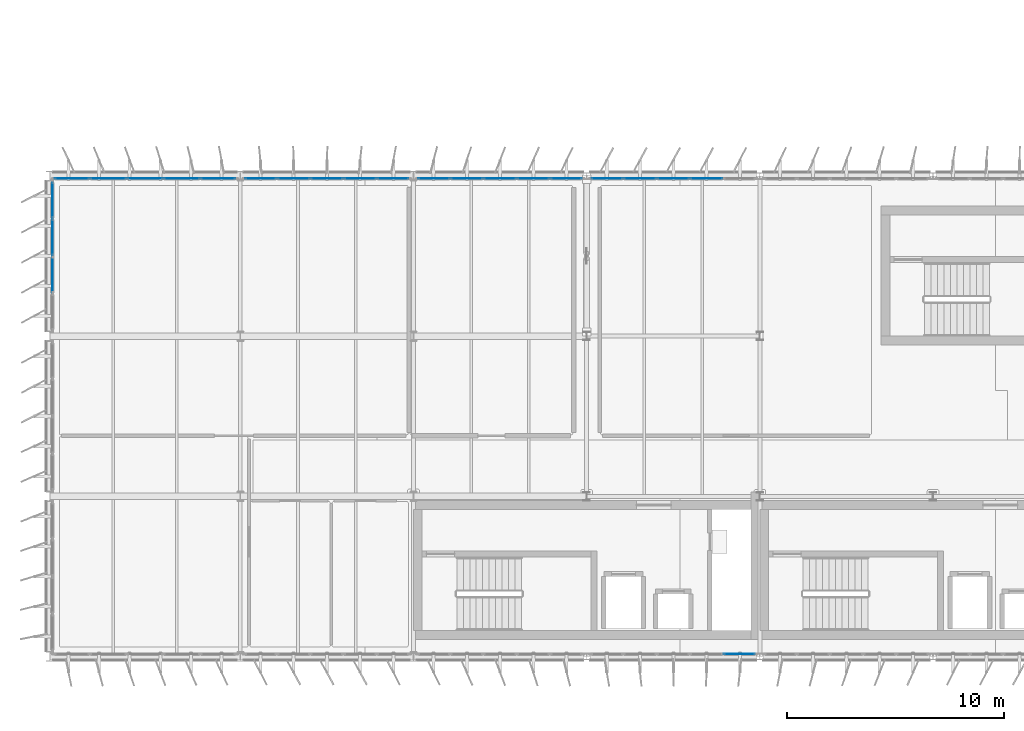
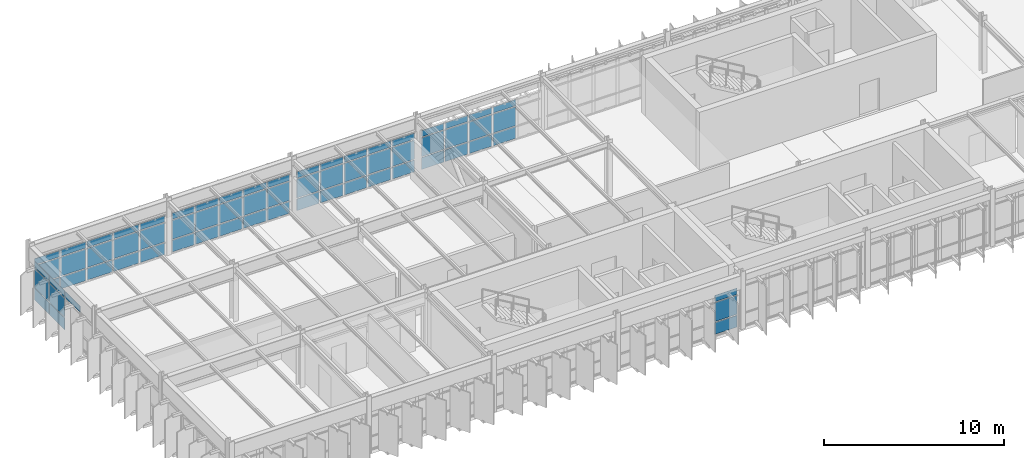
# One storey, part 20 of 35: 67 plates, 6 elements without a shape of their own.
"""IFC4 building model written with IfcOpenShell, lengths in metres."""

from ifc_helpers import new_model, si_unit, direction, frame, origin, origin_2d, place, context, subcontext, project, spatial, rectangle, extrude, material, layer, layer_set, type_object, element, aggregate, save


model = new_model("IFC4")

# Units and contexts
model_context = context("Model", 3, precision=1e-05, world=origin(), true_north=direction((0.0, 1.0)))
body_context = subcontext(model_context, "Body", "Model", "MODEL_VIEW")
ifc_project = project(units=[si_unit("LENGTHUNIT", "METRE"), si_unit("AREAUNIT", "SQUARE_METRE"), si_unit("VOLUMEUNIT", "CUBIC_METRE"), si_unit("PLANEANGLEUNIT", "RADIAN"), si_unit("MASSUNIT", "GRAM", prefix="KILO")], contexts=[model_context])

# Site, building, storey
site_placement = place(None, origin())
site = spatial("IfcSite", under=ifc_project, at=site_placement, CompositionType="ELEMENT")
building_placement = place(site_placement, origin())
building = spatial("IfcBuilding", under=site, at=building_placement, Name="Valkorina Park Police Headquarters", CompositionType="ELEMENT")
storey_placement = place(building_placement, frame((0.0, 0.0, 27.199951171875)))
storey = spatial("IfcBuildingStorey", under=building, at=storey_placement, Name="L07", CompositionType="ELEMENT", Elevation=27.199951171875)

# Curtain wall, plate
ifc_material_1 = material(Name="Thermally broken aluminium AW-6060", Category="aluminium")
ifc_layer_1 = layer(ifc_material_1, 0.18994140625)
ifc_layer_set_1 = layer_set([ifc_layer_1], Name="Thermally broken aluminium AW-6060")
curtain_wall_type_1 = type_object("IfcCurtainWallType", Name="CW-V5-7680x2770", PredefinedType="NOTDEFINED", material=ifc_layer_set_1)
curtain_wall_1_placement = place(storey_placement, origin())
curtain_wall_1 = element("IfcCurtainWall", 1, at=curtain_wall_1_placement, inside=storey, type_object=curtain_wall_type_1, Name="L07 Unitised Curtain Wall 138", PredefinedType="NOTDEFINED")
ifc_layer_2 = layer(ifc_material_1, 0.050048828125)
ifc_layer_set_2 = layer_set([ifc_layer_2], Name="Thermally broken aluminium AW-6060")
plate_type_1 = type_object("IfcPlateType", Name="PL-CWP-SPANDREL-50", PredefinedType="CURTAIN_PANEL", material=ifc_layer_set_2)
plate_1_placement = place(storey_placement, frame((31.8544921875, 37.1201171875, 0.070068359375), z_axis=(0.0, 0.0, 1.0), x_axis=(-1.0, 0.0, 0.0)))
plate_1 = element("IfcPlate", 2, at=plate_1_placement, type_object=plate_type_1, Name="CW-V5-768-277 panel 1.1", PredefinedType="CURTAIN_PANEL", context=body_context, shape_type="SweptSolid", body=[
    extrude(rectangle(XDim=1.430908203125, YDim=0.028076171875, at=origin_2d()), origin(), (0.0, 0.0, 1.0), 0.794921875),
])

# Curtain wall, plates
ifc_layer_3 = layer(ifc_material_1, 0.18994140625)
ifc_layer_set_3 = layer_set([ifc_layer_3], Name="Thermally broken aluminium AW-6060")
curtain_wall_type_2 = type_object("IfcCurtainWallType", Name="CW-V5-6930x2770", PredefinedType="NOTDEFINED", material=ifc_layer_set_3)
curtain_wall_2_placement = place(storey_placement, origin())
curtain_wall_2 = element("IfcCurtainWall", 3, at=curtain_wall_2_placement, inside=storey, type_object=curtain_wall_type_2, Name="L07 Unitised Curtain Wall 144", PredefinedType="NOTDEFINED")
plate_2_placement = place(storey_placement, frame((0.1201171875, 56.3662109375, 0.070068359375), z_axis=(0.0, 0.0, 1.0), x_axis=(0.0, 1.0, 0.0)))
plate_2 = element("IfcPlate", 4, at=plate_2_placement, type_object=plate_type_1, Name="CW-V5-693-277 panel 3.1", PredefinedType="CURTAIN_PANEL", context=body_context, shape_type="SweptSolid", body=[
    extrude(rectangle(XDim=1.66259765625, YDim=0.028076171875, at=origin_2d()), origin(), (0.0, 0.0, 1.0), 0.794921875),
])
plate_3_placement = place(storey_placement, frame((0.1201171875, 58.081298828125, 0.070068359375), z_axis=(0.0, 0.0, 1.0), x_axis=(0.0, 1.0, 0.0)))
plate_3 = element("IfcPlate", 5, at=plate_3_placement, type_object=plate_type_1, Name="CW-V5-693-277 panel 4.1", PredefinedType="CURTAIN_PANEL", context=body_context, shape_type="SweptSolid", body=[
    extrude(rectangle(XDim=1.62744140625, YDim=0.028076171875, at=origin_2d()), origin(), (0.0, 0.0, 1.0), 0.794921875),
])

ifc_layer_4 = layer(ifc_material_1, 0.18994140625)
ifc_layer_set_4 = layer_set([ifc_layer_4], Name="Thermally broken aluminium AW-6060")
curtain_wall_type_3 = type_object("IfcCurtainWallType", Name="CW-V5-8480x2770", PredefinedType="NOTDEFINED", material=ifc_layer_set_4)
curtain_wall_3_placement = place(storey_placement, origin())
curtain_wall_3 = element("IfcCurtainWall", 6, at=curtain_wall_3_placement, inside=storey, type_object=curtain_wall_type_3, Name="L07 Unitised Curtain Wall 145", PredefinedType="NOTDEFINED")
plate_4_placement = place(storey_placement, frame((1.025390625, 59.080078125, 0.070068359375), z_axis=(0.0, 0.0, 1.0), x_axis=(1.0, 0.0, 0.0)))
plate_4 = element("IfcPlate", 7, at=plate_4_placement, type_object=plate_type_1, Name="CW-V5-848-277 panel 1.1", PredefinedType="CURTAIN_PANEL", context=body_context, shape_type="SweptSolid", body=[
    extrude(rectangle(XDim=1.591064453125, YDim=0.028076171875, at=origin_2d()), origin(), (0.0, 0.0, 1.0), 0.794921875),
])
plate_5_placement = place(storey_placement, frame((2.7041015625, 59.080078125, 0.070068359375), z_axis=(0.0, 0.0, 1.0), x_axis=(1.0, 0.0, 0.0)))
plate_5 = element("IfcPlate", 8, at=plate_5_placement, type_object=plate_type_1, Name="CW-V5-848-277 panel 2.1", PredefinedType="CURTAIN_PANEL", context=body_context, shape_type="SweptSolid", body=[
    extrude(rectangle(XDim=1.6259765625, YDim=0.028076171875, at=origin_2d()), origin(), (0.0, 0.0, 1.0), 0.794921875),
])
plate_6_placement = place(storey_placement, frame((4.39990234375, 59.080078125, 0.070068359375), z_axis=(0.0, 0.0, 1.0), x_axis=(1.0, 0.0, 0.0)))
plate_6 = element("IfcPlate", 9, at=plate_6_placement, type_object=plate_type_1, Name="CW-V5-848-277 panel 3.1", PredefinedType="CURTAIN_PANEL", context=body_context, shape_type="SweptSolid", body=[
    extrude(rectangle(XDim=1.6259765625, YDim=0.028076171875, at=origin_2d()), origin(), (0.0, 0.0, 1.0), 0.794921875),
])
plate_7_placement = place(storey_placement, frame((6.095947265625, 59.080078125, 0.070068359375), z_axis=(0.0, 0.0, 1.0), x_axis=(1.0, 0.0, 0.0)))
plate_7 = element("IfcPlate", 10, at=plate_7_placement, type_object=plate_type_1, Name="CW-V5-848-277 panel 4.1", PredefinedType="CURTAIN_PANEL", context=body_context, shape_type="SweptSolid", body=[
    extrude(rectangle(XDim=1.6259765625, YDim=0.028076171875, at=origin_2d()), origin(), (0.0, 0.0, 1.0), 0.794921875),
])
plate_8_placement = place(storey_placement, frame((7.7744140625, 59.080078125, 0.070068359375), z_axis=(0.0, 0.0, 1.0), x_axis=(1.0, 0.0, 0.0)))
plate_8 = element("IfcPlate", 11, at=plate_8_placement, type_object=plate_type_1, Name="CW-V5-848-277 panel 5.1", PredefinedType="CURTAIN_PANEL", context=body_context, shape_type="SweptSolid", body=[
    extrude(rectangle(XDim=1.591064453125, YDim=0.028076171875, at=origin_2d()), origin(), (0.0, 0.0, 1.0), 0.794921875),
])

curtain_wall_4_placement = place(storey_placement, origin())
curtain_wall_4 = element("IfcCurtainWall", 12, at=curtain_wall_4_placement, inside=storey, type_object=curtain_wall_type_1, Name="L07 Unitised Curtain Wall 146", PredefinedType="NOTDEFINED")
plate_9_placement = place(storey_placement, frame((9.74560546875, 59.080078125, 0.070068359375), z_axis=(0.0, 0.0, 1.0), x_axis=(1.0, 0.0, 0.0)))
plate_9 = element("IfcPlate", 13, at=plate_9_placement, type_object=plate_type_1, Name="CW-V5-768-277 panel 1.1", PredefinedType="CURTAIN_PANEL", context=body_context, shape_type="SweptSolid", body=[
    extrude(rectangle(XDim=1.430908203125, YDim=0.028076171875, at=origin_2d()), origin(), (0.0, 0.0, 1.0), 0.794921875),
])
plate_10_placement = place(storey_placement, frame((11.263916015625, 59.080078125, 0.070068359375), z_axis=(0.0, 0.0, 1.0), x_axis=(1.0, 0.0, 0.0)))
plate_10 = element("IfcPlate", 14, at=plate_10_placement, type_object=plate_type_1, Name="CW-V5-768-277 panel 2.1", PredefinedType="CURTAIN_PANEL", context=body_context, shape_type="SweptSolid", body=[
    extrude(rectangle(XDim=1.466064453125, YDim=0.028076171875, at=origin_2d()), origin(), (0.0, 0.0, 1.0), 0.794921875),
])
plate_11_placement = place(storey_placement, frame((12.800048828125, 59.080078125, 0.070068359375), z_axis=(0.0, 0.0, 1.0), x_axis=(1.0, 0.0, 0.0)))
plate_11 = element("IfcPlate", 15, at=plate_11_placement, type_object=plate_type_1, Name="CW-V5-768-277 panel 3.1", PredefinedType="CURTAIN_PANEL", context=body_context, shape_type="SweptSolid", body=[
    extrude(rectangle(XDim=1.466064453125, YDim=0.028076171875, at=origin_2d()), origin(), (0.0, 0.0, 1.0), 0.794921875),
])
plate_12_placement = place(storey_placement, frame((14.3359375, 59.080078125, 0.070068359375), z_axis=(0.0, 0.0, 1.0), x_axis=(1.0, 0.0, 0.0)))
plate_12 = element("IfcPlate", 16, at=plate_12_placement, type_object=plate_type_1, Name="CW-V5-768-277 panel 4.1", PredefinedType="CURTAIN_PANEL", context=body_context, shape_type="SweptSolid", body=[
    extrude(rectangle(XDim=1.466064453125, YDim=0.028076171875, at=origin_2d()), origin(), (0.0, 0.0, 1.0), 0.794921875),
])
plate_13_placement = place(storey_placement, frame((15.8544921875, 59.080078125, 0.070068359375), z_axis=(0.0, 0.0, 1.0), x_axis=(1.0, 0.0, 0.0)))
plate_13 = element("IfcPlate", 17, at=plate_13_placement, type_object=plate_type_1, Name="CW-V5-768-277 panel 5.1", PredefinedType="CURTAIN_PANEL", context=body_context, shape_type="SweptSolid", body=[
    extrude(rectangle(XDim=1.430908203125, YDim=0.028076171875, at=origin_2d()), origin(), (0.0, 0.0, 1.0), 0.794921875),
])

curtain_wall_5_placement = place(storey_placement, origin())
curtain_wall_5 = element("IfcCurtainWall", 18, at=curtain_wall_5_placement, inside=storey, type_object=curtain_wall_type_1, Name="L07 Unitised Curtain Wall 147", PredefinedType="NOTDEFINED")
plate_14_placement = place(storey_placement, frame((17.74560546875, 59.080078125, 0.070068359375), z_axis=(0.0, 0.0, 1.0), x_axis=(1.0, 0.0, 0.0)))
plate_14 = element("IfcPlate", 19, at=plate_14_placement, type_object=plate_type_1, Name="CW-V5-768-277 panel 1.1", PredefinedType="CURTAIN_PANEL", context=body_context, shape_type="SweptSolid", body=[
    extrude(rectangle(XDim=1.430908203125, YDim=0.028076171875, at=origin_2d()), origin(), (0.0, 0.0, 1.0), 0.794921875),
])
plate_15_placement = place(storey_placement, frame((19.263916015625, 59.080078125, 0.070068359375), z_axis=(0.0, 0.0, 1.0), x_axis=(1.0, 0.0, 0.0)))
plate_15 = element("IfcPlate", 20, at=plate_15_placement, type_object=plate_type_1, Name="CW-V5-768-277 panel 2.1", PredefinedType="CURTAIN_PANEL", context=body_context, shape_type="SweptSolid", body=[
    extrude(rectangle(XDim=1.466064453125, YDim=0.028076171875, at=origin_2d()), origin(), (0.0, 0.0, 1.0), 0.794921875),
])
plate_16_placement = place(storey_placement, frame((20.800048828125, 59.080078125, 0.070068359375), z_axis=(0.0, 0.0, 1.0), x_axis=(1.0, 0.0, 0.0)))
plate_16 = element("IfcPlate", 21, at=plate_16_placement, type_object=plate_type_1, Name="CW-V5-768-277 panel 3.1", PredefinedType="CURTAIN_PANEL", context=body_context, shape_type="SweptSolid", body=[
    extrude(rectangle(XDim=1.466064453125, YDim=0.028076171875, at=origin_2d()), origin(), (0.0, 0.0, 1.0), 0.794921875),
])
plate_17_placement = place(storey_placement, frame((22.3359375, 59.080078125, 0.070068359375), z_axis=(0.0, 0.0, 1.0), x_axis=(1.0, 0.0, 0.0)))
plate_17 = element("IfcPlate", 22, at=plate_17_placement, type_object=plate_type_1, Name="CW-V5-768-277 panel 4.1", PredefinedType="CURTAIN_PANEL", context=body_context, shape_type="SweptSolid", body=[
    extrude(rectangle(XDim=1.466064453125, YDim=0.028076171875, at=origin_2d()), origin(), (0.0, 0.0, 1.0), 0.794921875),
])
plate_18_placement = place(storey_placement, frame((23.8544921875, 59.080078125, 0.070068359375), z_axis=(0.0, 0.0, 1.0), x_axis=(1.0, 0.0, 0.0)))
plate_18 = element("IfcPlate", 23, at=plate_18_placement, type_object=plate_type_1, Name="CW-V5-768-277 panel 5.1", PredefinedType="CURTAIN_PANEL", context=body_context, shape_type="SweptSolid", body=[
    extrude(rectangle(XDim=1.430908203125, YDim=0.028076171875, at=origin_2d()), origin(), (0.0, 0.0, 1.0), 0.794921875),
])

curtain_wall_6_placement = place(storey_placement, origin())
curtain_wall_6 = element("IfcCurtainWall", 24, at=curtain_wall_6_placement, inside=storey, type_object=curtain_wall_type_1, Name="L07 Unitised Curtain Wall 148", PredefinedType="NOTDEFINED")
plate_19_placement = place(storey_placement, frame((25.74560546875, 59.080078125, 0.070068359375), z_axis=(0.0, 0.0, 1.0), x_axis=(1.0, 0.0, 0.0)))
plate_19 = element("IfcPlate", 25, at=plate_19_placement, type_object=plate_type_1, Name="CW-V5-768-277 panel 1.1", PredefinedType="CURTAIN_PANEL", context=body_context, shape_type="SweptSolid", body=[
    extrude(rectangle(XDim=1.430908203125, YDim=0.028076171875, at=origin_2d()), origin(), (0.0, 0.0, 1.0), 0.794921875),
])
plate_20_placement = place(storey_placement, frame((27.263916015625, 59.080078125, 0.070068359375), z_axis=(0.0, 0.0, 1.0), x_axis=(1.0, 0.0, 0.0)))
plate_20 = element("IfcPlate", 26, at=plate_20_placement, type_object=plate_type_1, Name="CW-V5-768-277 panel 2.1", PredefinedType="CURTAIN_PANEL", context=body_context, shape_type="SweptSolid", body=[
    extrude(rectangle(XDim=1.466064453125, YDim=0.028076171875, at=origin_2d()), origin(), (0.0, 0.0, 1.0), 0.794921875),
])
plate_21_placement = place(storey_placement, frame((28.800048828125, 59.080078125, 0.070068359375), z_axis=(0.0, 0.0, 1.0), x_axis=(1.0, 0.0, 0.0)))
plate_21 = element("IfcPlate", 27, at=plate_21_placement, type_object=plate_type_1, Name="CW-V5-768-277 panel 3.1", PredefinedType="CURTAIN_PANEL", context=body_context, shape_type="SweptSolid", body=[
    extrude(rectangle(XDim=1.466064453125, YDim=0.028076171875, at=origin_2d()), origin(), (0.0, 0.0, 1.0), 0.794921875),
])
plate_22_placement = place(storey_placement, frame((30.3359375, 59.080078125, 0.070068359375), z_axis=(0.0, 0.0, 1.0), x_axis=(1.0, 0.0, 0.0)))
plate_22 = element("IfcPlate", 28, at=plate_22_placement, type_object=plate_type_1, Name="CW-V5-768-277 panel 4.1", PredefinedType="CURTAIN_PANEL", context=body_context, shape_type="SweptSolid", body=[
    extrude(rectangle(XDim=1.466064453125, YDim=0.028076171875, at=origin_2d()), origin(), (0.0, 0.0, 1.0), 0.794921875),
])

# Plate
ifc_material_2 = material(Name="Triple low-E insulated glazing", Category="glass")
ifc_layer_5 = layer(ifc_material_2, 0.028076171875)
ifc_layer_set_5 = layer_set([ifc_layer_5], Name="Triple low-E insulated glazing")
plate_type_2 = type_object("IfcPlateType", Name="PL-CWP-VISION-28", PredefinedType="CURTAIN_PANEL", material=ifc_layer_set_5)
plate_23_placement = place(storey_placement, frame((31.8544921875, 37.1201171875, 0.93505859375), z_axis=(0.0, 0.0, 1.0), x_axis=(-1.0, 0.0, 0.0)))
plate_23 = element("IfcPlate", 29, at=plate_23_placement, type_object=plate_type_2, Name="CW-V5-768-277 panel 1.2", PredefinedType="CURTAIN_PANEL", context=body_context, shape_type="SweptSolid", body=[
    extrude(rectangle(XDim=1.430908203125, YDim=0.028076171875, at=origin_2d()), origin(), (0.0, 0.0, 1.0), 1.280029296875),
])

plate_24_placement = place(storey_placement, frame((31.8544921875, 37.1201171875, 2.284912109375), z_axis=(0.0, 0.0, 1.0), x_axis=(-1.0, 0.0, 0.0)))
plate_24 = element("IfcPlate", 30, at=plate_24_placement, type_object=plate_type_2, Name="CW-V5-768-277 panel 1.3", PredefinedType="CURTAIN_PANEL", context=body_context, shape_type="SweptSolid", body=[
    extrude(rectangle(XDim=1.430908203125, YDim=0.028076171875, at=origin_2d()), origin(), (0.0, 0.0, 1.0), 0.4150390625),
])

aggregate(curtain_wall_1, [plate_1, plate_23, plate_24])

plate_25_placement = place(storey_placement, frame((0.1201171875, 54.6337890625, 2.284912109375), z_axis=(0.0, 0.0, 1.0), x_axis=(0.0, 1.0, 0.0)))
plate_25 = element("IfcPlate", 31, at=plate_25_placement, type_object=plate_type_2, Name="CW-V5-693-277 panel 2.3", PredefinedType="CURTAIN_PANEL", context=body_context, shape_type="SweptSolid", body=[
    extrude(rectangle(XDim=1.66259765625, YDim=0.028076171875, at=origin_2d()), origin(), (0.0, 0.0, 1.0), 0.4150390625),
])

plate_26_placement = place(storey_placement, frame((0.1201171875, 56.3662109375, 0.93505859375), z_axis=(0.0, 0.0, 1.0), x_axis=(0.0, 1.0, 0.0)))
plate_26 = element("IfcPlate", 32, at=plate_26_placement, type_object=plate_type_2, Name="CW-V5-693-277 panel 3.2", PredefinedType="CURTAIN_PANEL", context=body_context, shape_type="SweptSolid", body=[
    extrude(rectangle(XDim=1.66259765625, YDim=0.028076171875, at=origin_2d()), origin(), (0.0, 0.0, 1.0), 1.280029296875),
])

plate_27_placement = place(storey_placement, frame((0.1201171875, 56.3662109375, 2.284912109375), z_axis=(0.0, 0.0, 1.0), x_axis=(0.0, 1.0, 0.0)))
plate_27 = element("IfcPlate", 33, at=plate_27_placement, type_object=plate_type_2, Name="CW-V5-693-277 panel 3.3", PredefinedType="CURTAIN_PANEL", context=body_context, shape_type="SweptSolid", body=[
    extrude(rectangle(XDim=1.66259765625, YDim=0.028076171875, at=origin_2d()), origin(), (0.0, 0.0, 1.0), 0.4150390625),
])

plate_28_placement = place(storey_placement, frame((0.1201171875, 58.081298828125, 0.93505859375), z_axis=(0.0, 0.0, 1.0), x_axis=(0.0, 1.0, 0.0)))
plate_28 = element("IfcPlate", 34, at=plate_28_placement, type_object=plate_type_2, Name="CW-V5-693-277 panel 4.2", PredefinedType="CURTAIN_PANEL", context=body_context, shape_type="SweptSolid", body=[
    extrude(rectangle(XDim=1.62744140625, YDim=0.028076171875, at=origin_2d()), origin(), (0.0, 0.0, 1.0), 1.280029296875),
])

plate_29_placement = place(storey_placement, frame((0.1201171875, 58.081298828125, 2.284912109375), z_axis=(0.0, 0.0, 1.0), x_axis=(0.0, 1.0, 0.0)))
plate_29 = element("IfcPlate", 35, at=plate_29_placement, type_object=plate_type_2, Name="CW-V5-693-277 panel 4.3", PredefinedType="CURTAIN_PANEL", context=body_context, shape_type="SweptSolid", body=[
    extrude(rectangle(XDim=1.62744140625, YDim=0.028076171875, at=origin_2d()), origin(), (0.0, 0.0, 1.0), 0.4150390625),
])

aggregate(curtain_wall_2, [plate_25, plate_2, plate_26, plate_27, plate_3, plate_28, plate_29])

plate_30_placement = place(storey_placement, frame((1.025390625, 59.080078125, 0.93505859375), z_axis=(0.0, 0.0, 1.0), x_axis=(1.0, 0.0, 0.0)))
plate_30 = element("IfcPlate", 36, at=plate_30_placement, type_object=plate_type_2, Name="CW-V5-848-277 panel 1.2", PredefinedType="CURTAIN_PANEL", context=body_context, shape_type="SweptSolid", body=[
    extrude(rectangle(XDim=1.591064453125, YDim=0.028076171875, at=origin_2d()), origin(), (0.0, 0.0, 1.0), 1.280029296875),
])

plate_31_placement = place(storey_placement, frame((1.025390625, 59.080078125, 2.284912109375), z_axis=(0.0, 0.0, 1.0), x_axis=(1.0, 0.0, 0.0)))
plate_31 = element("IfcPlate", 37, at=plate_31_placement, type_object=plate_type_2, Name="CW-V5-848-277 panel 1.3", PredefinedType="CURTAIN_PANEL", context=body_context, shape_type="SweptSolid", body=[
    extrude(rectangle(XDim=1.591064453125, YDim=0.028076171875, at=origin_2d()), origin(), (0.0, 0.0, 1.0), 0.4150390625),
])

plate_32_placement = place(storey_placement, frame((2.7041015625, 59.080078125, 0.93505859375), z_axis=(0.0, 0.0, 1.0), x_axis=(1.0, 0.0, 0.0)))
plate_32 = element("IfcPlate", 38, at=plate_32_placement, type_object=plate_type_2, Name="CW-V5-848-277 panel 2.2", PredefinedType="CURTAIN_PANEL", context=body_context, shape_type="SweptSolid", body=[
    extrude(rectangle(XDim=1.6259765625, YDim=0.028076171875, at=origin_2d()), origin(), (0.0, 0.0, 1.0), 1.280029296875),
])

plate_33_placement = place(storey_placement, frame((2.7041015625, 59.080078125, 2.284912109375), z_axis=(0.0, 0.0, 1.0), x_axis=(1.0, 0.0, 0.0)))
plate_33 = element("IfcPlate", 39, at=plate_33_placement, type_object=plate_type_2, Name="CW-V5-848-277 panel 2.3", PredefinedType="CURTAIN_PANEL", context=body_context, shape_type="SweptSolid", body=[
    extrude(rectangle(XDim=1.6259765625, YDim=0.028076171875, at=origin_2d()), origin(), (0.0, 0.0, 1.0), 0.4150390625),
])

plate_34_placement = place(storey_placement, frame((4.39990234375, 59.080078125, 0.93505859375), z_axis=(0.0, 0.0, 1.0), x_axis=(1.0, 0.0, 0.0)))
plate_34 = element("IfcPlate", 40, at=plate_34_placement, type_object=plate_type_2, Name="CW-V5-848-277 panel 3.2", PredefinedType="CURTAIN_PANEL", context=body_context, shape_type="SweptSolid", body=[
    extrude(rectangle(XDim=1.6259765625, YDim=0.028076171875, at=origin_2d()), origin(), (0.0, 0.0, 1.0), 1.280029296875),
])

plate_35_placement = place(storey_placement, frame((4.39990234375, 59.080078125, 2.284912109375), z_axis=(0.0, 0.0, 1.0), x_axis=(1.0, 0.0, 0.0)))
plate_35 = element("IfcPlate", 41, at=plate_35_placement, type_object=plate_type_2, Name="CW-V5-848-277 panel 3.3", PredefinedType="CURTAIN_PANEL", context=body_context, shape_type="SweptSolid", body=[
    extrude(rectangle(XDim=1.6259765625, YDim=0.028076171875, at=origin_2d()), origin(), (0.0, 0.0, 1.0), 0.4150390625),
])

plate_36_placement = place(storey_placement, frame((6.095947265625, 59.080078125, 0.93505859375), z_axis=(0.0, 0.0, 1.0), x_axis=(1.0, 0.0, 0.0)))
plate_36 = element("IfcPlate", 42, at=plate_36_placement, type_object=plate_type_2, Name="CW-V5-848-277 panel 4.2", PredefinedType="CURTAIN_PANEL", context=body_context, shape_type="SweptSolid", body=[
    extrude(rectangle(XDim=1.6259765625, YDim=0.028076171875, at=origin_2d()), origin(), (0.0, 0.0, 1.0), 1.280029296875),
])

plate_37_placement = place(storey_placement, frame((6.095947265625, 59.080078125, 2.284912109375), z_axis=(0.0, 0.0, 1.0), x_axis=(1.0, 0.0, 0.0)))
plate_37 = element("IfcPlate", 43, at=plate_37_placement, type_object=plate_type_2, Name="CW-V5-848-277 panel 4.3", PredefinedType="CURTAIN_PANEL", context=body_context, shape_type="SweptSolid", body=[
    extrude(rectangle(XDim=1.6259765625, YDim=0.028076171875, at=origin_2d()), origin(), (0.0, 0.0, 1.0), 0.4150390625),
])

plate_38_placement = place(storey_placement, frame((7.7744140625, 59.080078125, 0.93505859375), z_axis=(0.0, 0.0, 1.0), x_axis=(1.0, 0.0, 0.0)))
plate_38 = element("IfcPlate", 44, at=plate_38_placement, type_object=plate_type_2, Name="CW-V5-848-277 panel 5.2", PredefinedType="CURTAIN_PANEL", context=body_context, shape_type="SweptSolid", body=[
    extrude(rectangle(XDim=1.591064453125, YDim=0.028076171875, at=origin_2d()), origin(), (0.0, 0.0, 1.0), 1.280029296875),
])

plate_39_placement = place(storey_placement, frame((7.7744140625, 59.080078125, 2.284912109375), z_axis=(0.0, 0.0, 1.0), x_axis=(1.0, 0.0, 0.0)))
plate_39 = element("IfcPlate", 45, at=plate_39_placement, type_object=plate_type_2, Name="CW-V5-848-277 panel 5.3", PredefinedType="CURTAIN_PANEL", context=body_context, shape_type="SweptSolid", body=[
    extrude(rectangle(XDim=1.591064453125, YDim=0.028076171875, at=origin_2d()), origin(), (0.0, 0.0, 1.0), 0.4150390625),
])

aggregate(curtain_wall_3, [plate_4, plate_30, plate_31, plate_5, plate_32, plate_33, plate_6, plate_34, plate_35, plate_7, plate_36, plate_37, plate_8, plate_38, plate_39])

plate_40_placement = place(storey_placement, frame((9.74560546875, 59.080078125, 0.93505859375), z_axis=(0.0, 0.0, 1.0), x_axis=(1.0, 0.0, 0.0)))
plate_40 = element("IfcPlate", 46, at=plate_40_placement, type_object=plate_type_2, Name="CW-V5-768-277 panel 1.2", PredefinedType="CURTAIN_PANEL", context=body_context, shape_type="SweptSolid", body=[
    extrude(rectangle(XDim=1.430908203125, YDim=0.028076171875, at=origin_2d()), origin(), (0.0, 0.0, 1.0), 1.280029296875),
])

plate_41_placement = place(storey_placement, frame((9.74560546875, 59.080078125, 2.284912109375), z_axis=(0.0, 0.0, 1.0), x_axis=(1.0, 0.0, 0.0)))
plate_41 = element("IfcPlate", 47, at=plate_41_placement, type_object=plate_type_2, Name="CW-V5-768-277 panel 1.3", PredefinedType="CURTAIN_PANEL", context=body_context, shape_type="SweptSolid", body=[
    extrude(rectangle(XDim=1.430908203125, YDim=0.028076171875, at=origin_2d()), origin(), (0.0, 0.0, 1.0), 0.4150390625),
])

plate_42_placement = place(storey_placement, frame((11.263916015625, 59.080078125, 0.93505859375), z_axis=(0.0, 0.0, 1.0), x_axis=(1.0, 0.0, 0.0)))
plate_42 = element("IfcPlate", 48, at=plate_42_placement, type_object=plate_type_2, Name="CW-V5-768-277 panel 2.2", PredefinedType="CURTAIN_PANEL", context=body_context, shape_type="SweptSolid", body=[
    extrude(rectangle(XDim=1.466064453125, YDim=0.028076171875, at=origin_2d()), origin(), (0.0, 0.0, 1.0), 1.280029296875),
])

plate_43_placement = place(storey_placement, frame((11.263916015625, 59.080078125, 2.284912109375), z_axis=(0.0, 0.0, 1.0), x_axis=(1.0, 0.0, 0.0)))
plate_43 = element("IfcPlate", 49, at=plate_43_placement, type_object=plate_type_2, Name="CW-V5-768-277 panel 2.3", PredefinedType="CURTAIN_PANEL", context=body_context, shape_type="SweptSolid", body=[
    extrude(rectangle(XDim=1.466064453125, YDim=0.028076171875, at=origin_2d()), origin(), (0.0, 0.0, 1.0), 0.4150390625),
])

plate_44_placement = place(storey_placement, frame((12.800048828125, 59.080078125, 0.93505859375), z_axis=(0.0, 0.0, 1.0), x_axis=(1.0, 0.0, 0.0)))
plate_44 = element("IfcPlate", 50, at=plate_44_placement, type_object=plate_type_2, Name="CW-V5-768-277 panel 3.2", PredefinedType="CURTAIN_PANEL", context=body_context, shape_type="SweptSolid", body=[
    extrude(rectangle(XDim=1.466064453125, YDim=0.028076171875, at=origin_2d()), origin(), (0.0, 0.0, 1.0), 1.280029296875),
])

plate_45_placement = place(storey_placement, frame((12.800048828125, 59.080078125, 2.284912109375), z_axis=(0.0, 0.0, 1.0), x_axis=(1.0, 0.0, 0.0)))
plate_45 = element("IfcPlate", 51, at=plate_45_placement, type_object=plate_type_2, Name="CW-V5-768-277 panel 3.3", PredefinedType="CURTAIN_PANEL", context=body_context, shape_type="SweptSolid", body=[
    extrude(rectangle(XDim=1.466064453125, YDim=0.028076171875, at=origin_2d()), origin(), (0.0, 0.0, 1.0), 0.4150390625),
])

plate_46_placement = place(storey_placement, frame((14.3359375, 59.080078125, 0.93505859375), z_axis=(0.0, 0.0, 1.0), x_axis=(1.0, 0.0, 0.0)))
plate_46 = element("IfcPlate", 52, at=plate_46_placement, type_object=plate_type_2, Name="CW-V5-768-277 panel 4.2", PredefinedType="CURTAIN_PANEL", context=body_context, shape_type="SweptSolid", body=[
    extrude(rectangle(XDim=1.466064453125, YDim=0.028076171875, at=origin_2d()), origin(), (0.0, 0.0, 1.0), 1.280029296875),
])

plate_47_placement = place(storey_placement, frame((14.3359375, 59.080078125, 2.284912109375), z_axis=(0.0, 0.0, 1.0), x_axis=(1.0, 0.0, 0.0)))
plate_47 = element("IfcPlate", 53, at=plate_47_placement, type_object=plate_type_2, Name="CW-V5-768-277 panel 4.3", PredefinedType="CURTAIN_PANEL", context=body_context, shape_type="SweptSolid", body=[
    extrude(rectangle(XDim=1.466064453125, YDim=0.028076171875, at=origin_2d()), origin(), (0.0, 0.0, 1.0), 0.4150390625),
])

plate_48_placement = place(storey_placement, frame((15.8544921875, 59.080078125, 0.93505859375), z_axis=(0.0, 0.0, 1.0), x_axis=(1.0, 0.0, 0.0)))
plate_48 = element("IfcPlate", 54, at=plate_48_placement, type_object=plate_type_2, Name="CW-V5-768-277 panel 5.2", PredefinedType="CURTAIN_PANEL", context=body_context, shape_type="SweptSolid", body=[
    extrude(rectangle(XDim=1.430908203125, YDim=0.028076171875, at=origin_2d()), origin(), (0.0, 0.0, 1.0), 1.280029296875),
])

plate_49_placement = place(storey_placement, frame((15.8544921875, 59.080078125, 2.284912109375), z_axis=(0.0, 0.0, 1.0), x_axis=(1.0, 0.0, 0.0)))
plate_49 = element("IfcPlate", 55, at=plate_49_placement, type_object=plate_type_2, Name="CW-V5-768-277 panel 5.3", PredefinedType="CURTAIN_PANEL", context=body_context, shape_type="SweptSolid", body=[
    extrude(rectangle(XDim=1.430908203125, YDim=0.028076171875, at=origin_2d()), origin(), (0.0, 0.0, 1.0), 0.4150390625),
])

aggregate(curtain_wall_4, [plate_9, plate_40, plate_41, plate_10, plate_42, plate_43, plate_11, plate_44, plate_45, plate_12, plate_46, plate_47, plate_13, plate_48, plate_49])

plate_50_placement = place(storey_placement, frame((17.74560546875, 59.080078125, 0.93505859375), z_axis=(0.0, 0.0, 1.0), x_axis=(1.0, 0.0, 0.0)))
plate_50 = element("IfcPlate", 56, at=plate_50_placement, type_object=plate_type_2, Name="CW-V5-768-277 panel 1.2", PredefinedType="CURTAIN_PANEL", context=body_context, shape_type="SweptSolid", body=[
    extrude(rectangle(XDim=1.430908203125, YDim=0.028076171875, at=origin_2d()), origin(), (0.0, 0.0, 1.0), 1.280029296875),
])

plate_51_placement = place(storey_placement, frame((17.74560546875, 59.080078125, 2.284912109375), z_axis=(0.0, 0.0, 1.0), x_axis=(1.0, 0.0, 0.0)))
plate_51 = element("IfcPlate", 57, at=plate_51_placement, type_object=plate_type_2, Name="CW-V5-768-277 panel 1.3", PredefinedType="CURTAIN_PANEL", context=body_context, shape_type="SweptSolid", body=[
    extrude(rectangle(XDim=1.430908203125, YDim=0.028076171875, at=origin_2d()), origin(), (0.0, 0.0, 1.0), 0.4150390625),
])

plate_52_placement = place(storey_placement, frame((19.263916015625, 59.080078125, 0.93505859375), z_axis=(0.0, 0.0, 1.0), x_axis=(1.0, 0.0, 0.0)))
plate_52 = element("IfcPlate", 58, at=plate_52_placement, type_object=plate_type_2, Name="CW-V5-768-277 panel 2.2", PredefinedType="CURTAIN_PANEL", context=body_context, shape_type="SweptSolid", body=[
    extrude(rectangle(XDim=1.466064453125, YDim=0.028076171875, at=origin_2d()), origin(), (0.0, 0.0, 1.0), 1.280029296875),
])

plate_53_placement = place(storey_placement, frame((19.263916015625, 59.080078125, 2.284912109375), z_axis=(0.0, 0.0, 1.0), x_axis=(1.0, 0.0, 0.0)))
plate_53 = element("IfcPlate", 59, at=plate_53_placement, type_object=plate_type_2, Name="CW-V5-768-277 panel 2.3", PredefinedType="CURTAIN_PANEL", context=body_context, shape_type="SweptSolid", body=[
    extrude(rectangle(XDim=1.466064453125, YDim=0.028076171875, at=origin_2d()), origin(), (0.0, 0.0, 1.0), 0.4150390625),
])

plate_54_placement = place(storey_placement, frame((20.800048828125, 59.080078125, 0.93505859375), z_axis=(0.0, 0.0, 1.0), x_axis=(1.0, 0.0, 0.0)))
plate_54 = element("IfcPlate", 60, at=plate_54_placement, type_object=plate_type_2, Name="CW-V5-768-277 panel 3.2", PredefinedType="CURTAIN_PANEL", context=body_context, shape_type="SweptSolid", body=[
    extrude(rectangle(XDim=1.466064453125, YDim=0.028076171875, at=origin_2d()), origin(), (0.0, 0.0, 1.0), 1.280029296875),
])

plate_55_placement = place(storey_placement, frame((20.800048828125, 59.080078125, 2.284912109375), z_axis=(0.0, 0.0, 1.0), x_axis=(1.0, 0.0, 0.0)))
plate_55 = element("IfcPlate", 61, at=plate_55_placement, type_object=plate_type_2, Name="CW-V5-768-277 panel 3.3", PredefinedType="CURTAIN_PANEL", context=body_context, shape_type="SweptSolid", body=[
    extrude(rectangle(XDim=1.466064453125, YDim=0.028076171875, at=origin_2d()), origin(), (0.0, 0.0, 1.0), 0.4150390625),
])

plate_56_placement = place(storey_placement, frame((22.3359375, 59.080078125, 0.93505859375), z_axis=(0.0, 0.0, 1.0), x_axis=(1.0, 0.0, 0.0)))
plate_56 = element("IfcPlate", 62, at=plate_56_placement, type_object=plate_type_2, Name="CW-V5-768-277 panel 4.2", PredefinedType="CURTAIN_PANEL", context=body_context, shape_type="SweptSolid", body=[
    extrude(rectangle(XDim=1.466064453125, YDim=0.028076171875, at=origin_2d()), origin(), (0.0, 0.0, 1.0), 1.280029296875),
])

plate_57_placement = place(storey_placement, frame((22.3359375, 59.080078125, 2.284912109375), z_axis=(0.0, 0.0, 1.0), x_axis=(1.0, 0.0, 0.0)))
plate_57 = element("IfcPlate", 63, at=plate_57_placement, type_object=plate_type_2, Name="CW-V5-768-277 panel 4.3", PredefinedType="CURTAIN_PANEL", context=body_context, shape_type="SweptSolid", body=[
    extrude(rectangle(XDim=1.466064453125, YDim=0.028076171875, at=origin_2d()), origin(), (0.0, 0.0, 1.0), 0.4150390625),
])

plate_58_placement = place(storey_placement, frame((23.8544921875, 59.080078125, 0.93505859375), z_axis=(0.0, 0.0, 1.0), x_axis=(1.0, 0.0, 0.0)))
plate_58 = element("IfcPlate", 64, at=plate_58_placement, type_object=plate_type_2, Name="CW-V5-768-277 panel 5.2", PredefinedType="CURTAIN_PANEL", context=body_context, shape_type="SweptSolid", body=[
    extrude(rectangle(XDim=1.430908203125, YDim=0.028076171875, at=origin_2d()), origin(), (0.0, 0.0, 1.0), 1.280029296875),
])

plate_59_placement = place(storey_placement, frame((23.8544921875, 59.080078125, 2.284912109375), z_axis=(0.0, 0.0, 1.0), x_axis=(1.0, 0.0, 0.0)))
plate_59 = element("IfcPlate", 65, at=plate_59_placement, type_object=plate_type_2, Name="CW-V5-768-277 panel 5.3", PredefinedType="CURTAIN_PANEL", context=body_context, shape_type="SweptSolid", body=[
    extrude(rectangle(XDim=1.430908203125, YDim=0.028076171875, at=origin_2d()), origin(), (0.0, 0.0, 1.0), 0.4150390625),
])

aggregate(curtain_wall_5, [plate_14, plate_50, plate_51, plate_15, plate_52, plate_53, plate_16, plate_54, plate_55, plate_17, plate_56, plate_57, plate_18, plate_58, plate_59])

plate_60_placement = place(storey_placement, frame((25.74560546875, 59.080078125, 0.93505859375), z_axis=(0.0, 0.0, 1.0), x_axis=(1.0, 0.0, 0.0)))
plate_60 = element("IfcPlate", 66, at=plate_60_placement, type_object=plate_type_2, Name="CW-V5-768-277 panel 1.2", PredefinedType="CURTAIN_PANEL", context=body_context, shape_type="SweptSolid", body=[
    extrude(rectangle(XDim=1.430908203125, YDim=0.028076171875, at=origin_2d()), origin(), (0.0, 0.0, 1.0), 1.280029296875),
])

plate_61_placement = place(storey_placement, frame((25.74560546875, 59.080078125, 2.284912109375), z_axis=(0.0, 0.0, 1.0), x_axis=(1.0, 0.0, 0.0)))
plate_61 = element("IfcPlate", 67, at=plate_61_placement, type_object=plate_type_2, Name="CW-V5-768-277 panel 1.3", PredefinedType="CURTAIN_PANEL", context=body_context, shape_type="SweptSolid", body=[
    extrude(rectangle(XDim=1.430908203125, YDim=0.028076171875, at=origin_2d()), origin(), (0.0, 0.0, 1.0), 0.4150390625),
])

plate_62_placement = place(storey_placement, frame((27.263916015625, 59.080078125, 0.93505859375), z_axis=(0.0, 0.0, 1.0), x_axis=(1.0, 0.0, 0.0)))
plate_62 = element("IfcPlate", 68, at=plate_62_placement, type_object=plate_type_2, Name="CW-V5-768-277 panel 2.2", PredefinedType="CURTAIN_PANEL", context=body_context, shape_type="SweptSolid", body=[
    extrude(rectangle(XDim=1.466064453125, YDim=0.028076171875, at=origin_2d()), origin(), (0.0, 0.0, 1.0), 1.280029296875),
])

plate_63_placement = place(storey_placement, frame((27.263916015625, 59.080078125, 2.284912109375), z_axis=(0.0, 0.0, 1.0), x_axis=(1.0, 0.0, 0.0)))
plate_63 = element("IfcPlate", 69, at=plate_63_placement, type_object=plate_type_2, Name="CW-V5-768-277 panel 2.3", PredefinedType="CURTAIN_PANEL", context=body_context, shape_type="SweptSolid", body=[
    extrude(rectangle(XDim=1.466064453125, YDim=0.028076171875, at=origin_2d()), origin(), (0.0, 0.0, 1.0), 0.4150390625),
])

plate_64_placement = place(storey_placement, frame((28.800048828125, 59.080078125, 0.93505859375), z_axis=(0.0, 0.0, 1.0), x_axis=(1.0, 0.0, 0.0)))
plate_64 = element("IfcPlate", 70, at=plate_64_placement, type_object=plate_type_2, Name="CW-V5-768-277 panel 3.2", PredefinedType="CURTAIN_PANEL", context=body_context, shape_type="SweptSolid", body=[
    extrude(rectangle(XDim=1.466064453125, YDim=0.028076171875, at=origin_2d()), origin(), (0.0, 0.0, 1.0), 1.280029296875),
])

plate_65_placement = place(storey_placement, frame((28.800048828125, 59.080078125, 2.284912109375), z_axis=(0.0, 0.0, 1.0), x_axis=(1.0, 0.0, 0.0)))
plate_65 = element("IfcPlate", 71, at=plate_65_placement, type_object=plate_type_2, Name="CW-V5-768-277 panel 3.3", PredefinedType="CURTAIN_PANEL", context=body_context, shape_type="SweptSolid", body=[
    extrude(rectangle(XDim=1.466064453125, YDim=0.028076171875, at=origin_2d()), origin(), (0.0, 0.0, 1.0), 0.4150390625),
])

plate_66_placement = place(storey_placement, frame((30.3359375, 59.080078125, 0.93505859375), z_axis=(0.0, 0.0, 1.0), x_axis=(1.0, 0.0, 0.0)))
plate_66 = element("IfcPlate", 72, at=plate_66_placement, type_object=plate_type_2, Name="CW-V5-768-277 panel 4.2", PredefinedType="CURTAIN_PANEL", context=body_context, shape_type="SweptSolid", body=[
    extrude(rectangle(XDim=1.466064453125, YDim=0.028076171875, at=origin_2d()), origin(), (0.0, 0.0, 1.0), 1.280029296875),
])

plate_67_placement = place(storey_placement, frame((30.3359375, 59.080078125, 2.284912109375), z_axis=(0.0, 0.0, 1.0), x_axis=(1.0, 0.0, 0.0)))
plate_67 = element("IfcPlate", 73, at=plate_67_placement, type_object=plate_type_2, Name="CW-V5-768-277 panel 4.3", PredefinedType="CURTAIN_PANEL", context=body_context, shape_type="SweptSolid", body=[
    extrude(rectangle(XDim=1.466064453125, YDim=0.028076171875, at=origin_2d()), origin(), (0.0, 0.0, 1.0), 0.4150390625),
])

aggregate(curtain_wall_6, [plate_19, plate_60, plate_61, plate_20, plate_62, plate_63, plate_21, plate_64, plate_65, plate_22, plate_66, plate_67])

save(model, "model.ifc")
